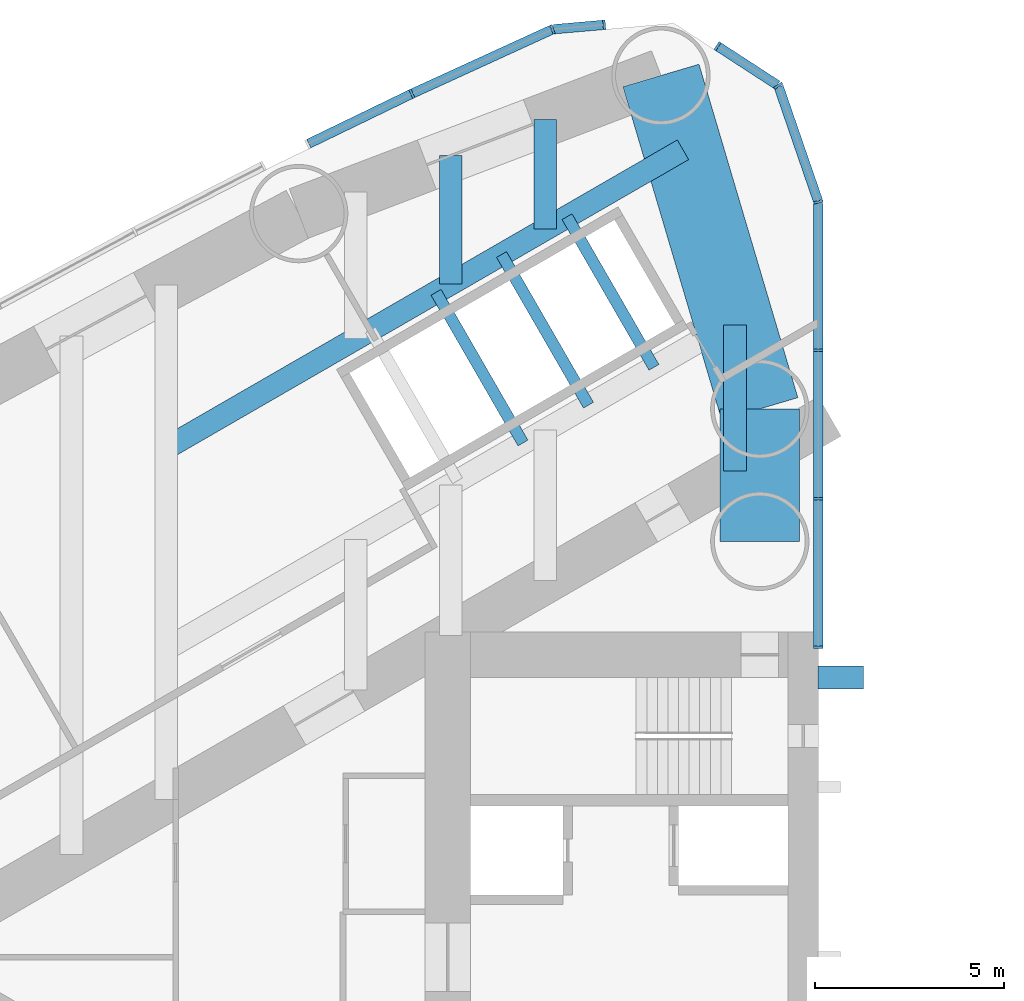
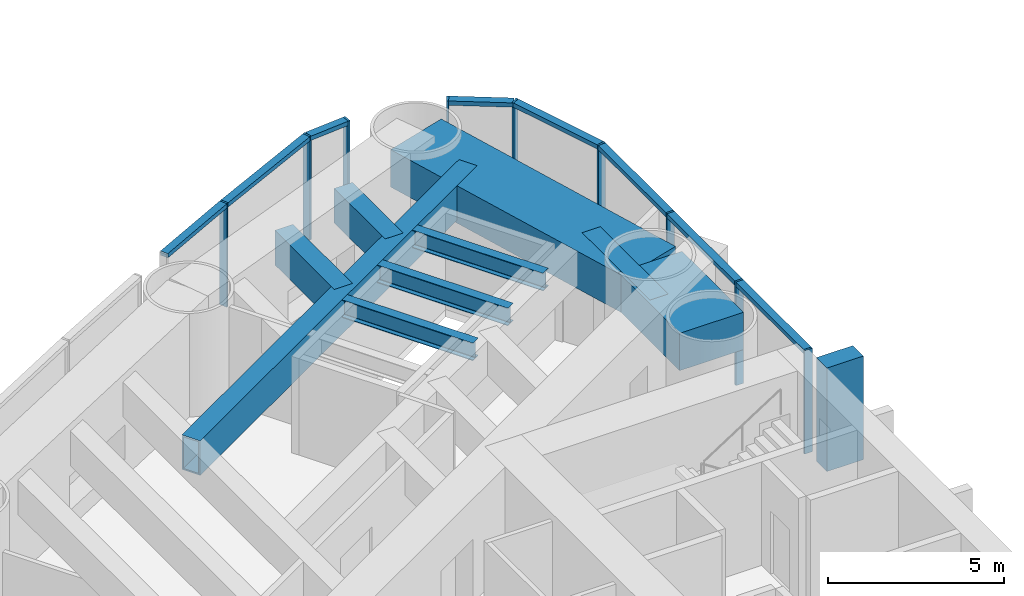
# One storey, part 5 of 16: 18 members, 9 beams, 2 elements without a shape of their own.
"""IFC4 building model written with IfcOpenShell, lengths in metres."""

from ifc_helpers import new_model, si_unit, direction, frame, origin, origin_2d, place, context, subcontext, project, spatial, rectangle, hollow_rectangle, i_section, extrude, material, material_profile, profile_set, type_object, element, aggregate, save


model = new_model("IFC4")

# Units and contexts
model_context = context("Model", 3, precision=1e-05, world=origin(), true_north=direction((0.0, 1.0)))
body_context = subcontext(model_context, "Body", "Model", "MODEL_VIEW")
ifc_project = project(units=[si_unit("LENGTHUNIT", "METRE"), si_unit("AREAUNIT", "SQUARE_METRE"), si_unit("VOLUMEUNIT", "CUBIC_METRE"), si_unit("PLANEANGLEUNIT", "RADIAN"), si_unit("MASSUNIT", "GRAM", prefix="KILO")], contexts=[model_context])

# Site, building, storey
site_placement = place(None, origin())
site = spatial("IfcSite", under=ifc_project, at=site_placement, CompositionType="ELEMENT")
building_placement = place(site_placement, origin())
building = spatial("IfcBuilding", under=site, at=building_placement, Name="Lancet Gate Hotel", CompositionType="ELEMENT")
storey_placement = place(building_placement, frame((0.0, 0.0, 143.10009765625)))
storey = spatial("IfcBuildingStorey", under=building, at=storey_placement, Name="L38", CompositionType="ELEMENT", Elevation=143.10009765625)

# Curtain wall, members
ifc_material_1 = material(Name="Aluminium curtain wall", Category="aluminium")
curtain_wall_type = type_object("IfcCurtainWallType", Name="Tower unitised curtain wall", PredefinedType="USERDEFINED", material=ifc_material_1)
curtain_wall_1_placement = place(storey_placement, origin())
curtain_wall_1 = element("IfcCurtainWall", 1, at=curtain_wall_1_placement, inside=storey, type_object=curtain_wall_type, Name="T1 L38 curtain wall 1", ObjectType="UNITISED CURTAIN WALL", PredefinedType="USERDEFINED")
ifc_material_2 = material(Name="Aluminium mullion", Category="aluminium")
ifc_material_profile_1 = material_profile(ifc_material_2, rectangle(XDim=0.06494140625, YDim=0.25, at=origin_2d()), Name="MULLION 65x250")
ifc_profile_set_1 = profile_set([ifc_material_profile_1], Name="Aluminium mullion")
member_type_1 = type_object("IfcMemberType", Name="Aluminium mullion 65x250", PredefinedType="MULLION", material=ifc_profile_set_1)
member_1_placement = place(storey_placement, frame((-27.5, 8.199951171875, 0.0), z_axis=(0.0, 0.0, 1.0), x_axis=(0.0, 1.0, 0.0)))
member_1 = element("IfcMember", 2, at=member_1_placement, type_object=member_type_1, Name="T1 L38 curtain wall 1 mullion 1", PredefinedType="MULLION", context=body_context, shape_type="SweptSolid", body=[
    extrude(rectangle(XDim=0.06494140625, YDim=0.25, at=origin_2d()), origin(), (0.0, 0.0, 1.0), 3.599853515625),
])
member_2_placement = place(storey_placement, frame((-27.5, 12.123779296875, 0.0), z_axis=(0.0, 0.0, 1.0), x_axis=(0.0, 1.0, 0.0)))
member_2 = element("IfcMember", 3, at=member_2_placement, type_object=member_type_1, Name="T1 L38 curtain wall 1 mullion 2", PredefinedType="MULLION", context=body_context, shape_type="SweptSolid", body=[
    extrude(rectangle(XDim=0.06494140625, YDim=0.25, at=origin_2d()), origin(), (0.0, 0.0, 1.0), 3.599853515625),
])
member_3_placement = place(storey_placement, frame((-27.5, 16.04736328125, 0.0), z_axis=(0.0, 0.0, 1.0), x_axis=(0.0, 1.0, 0.0)))
member_3 = element("IfcMember", 4, at=member_3_placement, type_object=member_type_1, Name="T1 L38 curtain wall 1 mullion 3", PredefinedType="MULLION", context=body_context, shape_type="SweptSolid", body=[
    extrude(rectangle(XDim=0.06494140625, YDim=0.25, at=origin_2d()), origin(), (0.0, 0.0, 1.0), 3.599853515625),
])
member_4_placement = place(storey_placement, frame((-27.5, 19.97119140625, 0.0), z_axis=(0.0, 0.0, 1.0), x_axis=(-0.149634446211, 0.988741388082, 0.0)))
member_4 = element("IfcMember", 5, at=member_4_placement, type_object=member_type_1, Name="T1 L38 curtain wall 1 mullion 4", PredefinedType="MULLION", context=body_context, shape_type="SweptSolid", body=[
    extrude(rectangle(XDim=0.06494140625, YDim=0.25, at=origin_2d()), origin(), (0.0, 0.0, 1.0), 3.599853515625),
])
member_5_placement = place(storey_placement, frame((-28.5595703125, 23.049072265625, 0.0), z_axis=(0.0, 0.0, 1.0), x_axis=(-0.54341030803, 0.839467234099, 0.0)))
member_5 = element("IfcMember", 6, at=member_5_placement, type_object=member_type_1, Name="T1 L38 curtain wall 1 mullion 5", PredefinedType="MULLION", context=body_context, shape_type="SweptSolid", body=[
    extrude(rectangle(XDim=0.06494140625, YDim=0.25, at=origin_2d()), origin(), (0.0, 0.0, 1.0), 3.599853515625),
])
member_6_placement = place(storey_placement, frame((-30.16943359375, 24.0947265625, 0.0), z_axis=(0.0, 0.0, 1.0), x_axis=(-0.838580121261, 0.544778285385, 0.0)))
member_6 = element("IfcMember", 7, at=member_6_placement, type_object=member_type_1, Name="T1 L38 curtain wall 1 mullion 6", PredefinedType="MULLION", context=body_context, shape_type="SweptSolid", body=[
    extrude(rectangle(XDim=0.06494140625, YDim=0.25, at=origin_2d()), origin(), (0.0, 0.0, 1.0), 3.599853515625),
])

curtain_wall_2_placement = place(storey_placement, origin())
curtain_wall_2 = element("IfcCurtainWall", 8, at=curtain_wall_2_placement, inside=storey, type_object=curtain_wall_type, Name="T1 L38 curtain wall 2", ObjectType="UNITISED CURTAIN WALL", PredefinedType="USERDEFINED")
member_7_placement = place(storey_placement, frame((-33.1650390625, 24.65869140625, 0.0), z_axis=(0.0, 0.0, 1.0), x_axis=(-0.996218779711, -0.086880049207, 0.0)))
member_7 = element("IfcMember", 9, at=member_7_placement, type_object=member_type_1, Name="T1 L38 curtain wall 2 mullion 1", PredefinedType="MULLION", context=body_context, shape_type="SweptSolid", body=[
    extrude(rectangle(XDim=0.06494140625, YDim=0.25, at=origin_2d()), origin(), (0.0, 0.0, 1.0), 3.599853515625),
])
member_8_placement = place(storey_placement, frame((-34.5322265625, 24.53955078125, 0.0), z_axis=(0.0, 0.0, 1.0), x_axis=(-0.941424024257, -0.337225157058, 0.0)))
member_8 = element("IfcMember", 10, at=member_8_placement, type_object=member_type_1, Name="T1 L38 curtain wall 2 mullion 2", PredefinedType="MULLION", context=body_context, shape_type="SweptSolid", body=[
    extrude(rectangle(XDim=0.06494140625, YDim=0.25, at=origin_2d()), origin(), (0.0, 0.0, 1.0), 3.599853515625),
])
member_9_placement = place(storey_placement, frame((-38.25244140625, 22.83642578125, 0.0), z_axis=(0.0, 0.0, 1.0), x_axis=(-0.905378883959, -0.42460461194, 0.0)))
member_9 = element("IfcMember", 11, at=member_9_placement, type_object=member_type_1, Name="T1 L38 curtain wall 2 mullion 3", PredefinedType="MULLION", context=body_context, shape_type="SweptSolid", body=[
    extrude(rectangle(XDim=0.06494140625, YDim=0.25, at=origin_2d()), origin(), (0.0, 0.0, 1.0), 3.599853515625),
])

# Member
ifc_material_3 = material(Name="Aluminium transom", Category="aluminium")
ifc_material_profile_2 = material_profile(ifc_material_3, rectangle(XDim=0.25, YDim=0.14990234375, at=origin_2d()), Name="TRANSOM 250x150")
ifc_profile_set_2 = profile_set([ifc_material_profile_2], Name="Aluminium transom")
member_type_2 = type_object("IfcMemberType", Name="Aluminium transom 250x150", PredefinedType="USERDEFINED", material=ifc_profile_set_2)
member_10_placement = place(storey_placement, frame((-27.5, 8.232421875, 3.52490234375), z_axis=(0.0, 1.0, 0.0), x_axis=(-1.0, 0.0, 0.0)))
member_10 = element("IfcMember", 12, at=member_10_placement, type_object=member_type_2, Name="T1 L38 curtain wall 1 transom 1", ObjectType="TRANSOM", PredefinedType="USERDEFINED", context=body_context, shape_type="SweptSolid", body=[
    extrude(rectangle(XDim=0.25, YDim=0.14990234375, at=origin_2d()), origin(), (0.0, 0.0, 1.0), 3.85888671875),
])

member_11_placement = place(storey_placement, frame((-27.5, 12.15625, 3.52490234375), z_axis=(0.0, 1.0, 0.0), x_axis=(-1.0, 0.0, 0.0)))
member_11 = element("IfcMember", 13, at=member_11_placement, type_object=member_type_2, Name="T1 L38 curtain wall 1 transom 2", ObjectType="TRANSOM", PredefinedType="USERDEFINED", context=body_context, shape_type="SweptSolid", body=[
    extrude(rectangle(XDim=0.25, YDim=0.14990234375, at=origin_2d()), origin(), (0.0, 0.0, 1.0), 3.858642578125),
])

member_12_placement = place(storey_placement, frame((-27.5, 16.079833984375, 3.52490234375), z_axis=(0.0, 1.0, 0.0), x_axis=(-1.0, 0.0, 0.0)))
member_12 = element("IfcMember", 14, at=member_12_placement, type_object=member_type_2, Name="T1 L38 curtain wall 1 transom 3", ObjectType="TRANSOM", PredefinedType="USERDEFINED", context=body_context, shape_type="SweptSolid", body=[
    extrude(rectangle(XDim=0.25, YDim=0.14990234375, at=origin_2d()), origin(), (0.0, 0.0, 1.0), 3.858642578125),
])

member_13_placement = place(storey_placement, frame((-27.510498046875, 20.001708984375, 3.52490234375), z_axis=(-0.32553312754, 0.945530635609, 0.0), x_axis=(-0.945530635609, -0.32553312754, 0.0)))
member_13 = element("IfcMember", 15, at=member_13_placement, type_object=member_type_2, Name="T1 L38 curtain wall 1 transom 4", ObjectType="TRANSOM", PredefinedType="USERDEFINED", context=body_context, shape_type="SweptSolid", body=[
    extrude(rectangle(XDim=0.25, YDim=0.14990234375, at=origin_2d()), origin(), (0.0, 0.0, 1.0), 3.1904296875),
])

member_14_placement = place(storey_placement, frame((-28.5869140625, 23.066650390625, 3.52490234375), z_axis=(-0.838593972451, 0.54475696358, 0.0), x_axis=(-0.54475696358, -0.838593972451, 0.0)))
member_14 = element("IfcMember", 16, at=member_14_placement, type_object=member_type_2, Name="T1 L38 curtain wall 1 transom 5", ObjectType="TRANSOM", PredefinedType="USERDEFINED", context=body_context, shape_type="SweptSolid", body=[
    extrude(rectangle(XDim=0.25, YDim=0.14990234375, at=origin_2d()), origin(), (0.0, 0.0, 1.0), 1.8544921875),
])

aggregate(curtain_wall_1, [member_1, member_2, member_3, member_4, member_5, member_6, member_10, member_11, member_12, member_13, member_14])

member_15_placement = place(storey_placement, frame((-33.197509765625, 24.656005859375, 3.52490234375), z_axis=(-0.996205466328, -0.087032573549, 0.0), x_axis=(0.087032573549, -0.996205466328, 0.0)))
member_15 = element("IfcMember", 17, at=member_15_placement, type_object=member_type_2, Name="T1 L38 curtain wall 2 transom 1", ObjectType="TRANSOM", PredefinedType="USERDEFINED", context=body_context, shape_type="SweptSolid", body=[
    extrude(rectangle(XDim=0.25, YDim=0.14990234375, at=origin_2d()), origin(), (0.0, 0.0, 1.0), 1.30712890625),
])

member_16_placement = place(storey_placement, frame((-34.561767578125, 24.52587890625, 3.52490234375), z_axis=(-0.909252284196, -0.416245460857, 0.0), x_axis=(0.416245460857, -0.909252284196, 0.0)))
member_16 = element("IfcMember", 18, at=member_16_placement, type_object=member_type_2, Name="T1 L38 curtain wall 2 transom 2", ObjectType="TRANSOM", PredefinedType="USERDEFINED", context=body_context, shape_type="SweptSolid", body=[
    extrude(rectangle(XDim=0.25, YDim=0.14990234375, at=origin_2d()), origin(), (0.0, 0.0, 1.0), 4.026611328125),
])

member_17_placement = place(storey_placement, frame((-38.28173828125, 22.822265625, 3.52490234375), z_axis=(-0.90008917215, -0.435705728879, 0.0), x_axis=(0.435705728879, -0.90008917215, 0.0)))
member_17 = element("IfcMember", 19, at=member_17_placement, type_object=member_type_2, Name="T1 L38 curtain wall 2 transom 3", ObjectType="TRANSOM", PredefinedType="USERDEFINED", context=body_context, shape_type="SweptSolid", body=[
    extrude(rectangle(XDim=0.25, YDim=0.14990234375, at=origin_2d()), origin(), (0.0, 0.0, 1.0), 2.99658203125),
])

aggregate(curtain_wall_2, [member_7, member_8, member_9, member_15, member_16, member_17])

ifc_material_4 = material(Name="Concrete C60/75", Category="concrete")
ifc_material_profile_3 = material_profile(ifc_material_4, rectangle(XDim=0.60009765625, YDim=1.199951171875, at=origin_2d()), Name="FIN 600x1200")
ifc_profile_set_3 = profile_set([ifc_material_profile_3], Name="Concrete C60/75")
member_type_3 = type_object("IfcMemberType", Name="Exposed concrete buttress pilaster 600x1200", PredefinedType="USERDEFINED", material=ifc_profile_set_3)
member_18_placement = place(storey_placement, frame((-26.909912109375, 7.39990234375, 0.0), z_axis=(0.0, 0.0, 1.0), x_axis=(0.0, 1.0, 0.0)))
element("IfcMember", 20, at=member_18_placement, inside=storey, type_object=member_type_3, Name="T1 buttress pilaster S L38", ObjectType="FIN", PredefinedType="USERDEFINED", context=body_context, shape_type="SweptSolid", body=[
    extrude(rectangle(XDim=0.60009765625, YDim=1.199951171875, at=origin_2d()), origin(), (0.0, 0.0, 1.0), 3.599853515625),
])

# Beams
ifc_material_5 = material(Name="Steel S355", Category="steel")
ifc_material_profile_4 = material_profile(ifc_material_5, i_section(OverallWidth=0.3046875, OverallDepth=0.6123046875, WebThickness=0.01171875, FlangeThickness=0.019775390625, FilletRadius=0.0166015625, at=origin_2d()), Name="UKB 610x305x149")
ifc_profile_set_4 = profile_set([ifc_material_profile_4], Name="Steel S355")
beam_type_1 = type_object("IfcBeamType", Name="Lift lifting beam UKB 610x305x149", PredefinedType="BEAM", material=ifc_profile_set_4)
beam_1_placement = place(storey_placement, frame((-31.84912109375, 15.599853515625, 3.043701171875), z_axis=(-0.499935336794, 0.866062733885, 0.0), x_axis=(-0.866062733885, -0.499935336794, 0.0)))
element("IfcBeam", 21, at=beam_1_placement, inside=storey, type_object=beam_type_1, Name="T1 lifting beam LR1", PredefinedType="BEAM", context=body_context, shape_type="SweptSolid", body=[
    extrude(i_section(OverallWidth=0.3046875, OverallDepth=0.6123046875, WebThickness=0.01171875, FlangeThickness=0.019775390625, FilletRadius=0.0166015625, at=origin_2d()), origin(), (0.0, 0.0, 1.0), 4.599609375),
])
beam_2_placement = place(storey_placement, frame((-33.581298828125, 14.599609375, 3.043701171875), z_axis=(-0.499872544099, 0.866098977979, 0.0), x_axis=(-0.866098977979, -0.499872544099, 0.0)))
element("IfcBeam", 22, at=beam_2_placement, inside=storey, type_object=beam_type_1, Name="T1 lifting beam LR2", PredefinedType="BEAM", context=body_context, shape_type="SweptSolid", body=[
    extrude(i_section(OverallWidth=0.3046875, OverallDepth=0.6123046875, WebThickness=0.01171875, FlangeThickness=0.019775390625, FilletRadius=0.0166015625, at=origin_2d()), origin(), (0.0, 0.0, 1.0), 4.599853515625),
])
beam_3_placement = place(storey_placement, frame((-35.313232421875, 13.599609375, 3.043701171875), z_axis=(-0.499935336794, 0.866062733885, 0.0), x_axis=(-0.866062733885, -0.499935336794, 0.0)))
element("IfcBeam", 23, at=beam_3_placement, inside=storey, type_object=beam_type_1, Name="T1 lifting beam LR3", PredefinedType="BEAM", context=body_context, shape_type="SweptSolid", body=[
    extrude(i_section(OverallWidth=0.3046875, OverallDepth=0.6123046875, WebThickness=0.01171875, FlangeThickness=0.019775390625, FilletRadius=0.0166015625, at=origin_2d()), origin(), (0.0, 0.0, 1.0), 4.599609375),
])
ifc_material_6 = material(Name="Steel S460QL", Category="steel")
ifc_material_profile_5 = material_profile(ifc_material_6, hollow_rectangle(XDim=0.60009765625, YDim=1.199951171875, WallThickness=0.050048828125, at=origin_2d()), Name="BOX 1200x600x50")
ifc_profile_set_5 = profile_set([ifc_material_profile_5], Name="Steel S460QL")
beam_type_2 = type_object("IfcBeamType", Name="Refuge floor beam BOX 1200x600x50", PredefinedType="BEAM", material=ifc_profile_set_5)
beam_4_placement = place(storey_placement, frame((-29.706787109375, 16.71533203125, 2.75), z_axis=(0.0, -1.0, 0.0), x_axis=(1.0, 0.0, 0.0)))
element("IfcBeam", 24, at=beam_4_placement, inside=storey, type_object=beam_type_2, Name="T1 floor beam F02S L38", PredefinedType="BEAM", context=body_context, shape_type="SweptSolid", body=[
    extrude(hollow_rectangle(XDim=0.60009765625, YDim=1.199951171875, WallThickness=0.050048828125, at=origin_2d()), origin(), (0.0, 0.0, 1.0), 3.86279296875),
])
beam_5_placement = place(storey_placement, frame((-34.720458984375, 22.1533203125, 2.75), z_axis=(0.0, -1.0, 0.0), x_axis=(1.0, 0.0, 0.0)))
element("IfcBeam", 25, at=beam_5_placement, inside=storey, type_object=beam_type_2, Name="T1 floor beam F04SA L38", PredefinedType="BEAM", context=body_context, shape_type="SweptSolid", body=[
    extrude(hollow_rectangle(XDim=0.60009765625, YDim=1.199951171875, WallThickness=0.050048828125, at=origin_2d()), origin(), (0.0, 0.0, 1.0), 2.89990234375),
])
beam_6_placement = place(storey_placement, frame((-37.227294921875, 21.197509765625, 2.75), z_axis=(0.0, -1.0, 0.0), x_axis=(1.0, 0.0, 0.0)))
element("IfcBeam", 26, at=beam_6_placement, inside=storey, type_object=beam_type_2, Name="T1 floor beam F05SA L38", PredefinedType="BEAM", context=body_context, shape_type="SweptSolid", body=[
    extrude(hollow_rectangle(XDim=0.60009765625, YDim=1.199951171875, WallThickness=0.050048828125, at=origin_2d()), origin(), (0.0, 0.0, 1.0), 3.3916015625),
])
ifc_material_7 = material(Name="Concrete C50/60", Category="concrete")
ifc_material_profile_6 = material_profile(ifc_material_7, rectangle(XDim=2.10009765625, YDim=1.300048828125, at=origin_2d()), Name="RC 2100x1300")
ifc_profile_set_6 = profile_set([ifc_material_profile_6], Name="Concrete C50/60")
beam_type_3 = type_object("IfcBeamType", Name="Tie ring beam RC 2100x1300", PredefinedType="SPANDREL", material=ifc_profile_set_6)
beam_7_placement = place(storey_placement, frame((-31.66455078125, 23.318359375, 2.699951171875), z_axis=(0.284253711522, -0.958749095168, 0.0), x_axis=(0.958749095168, 0.284253711522, 0.0)))
element("IfcBeam", 27, at=beam_7_placement, inside=storey, type_object=beam_type_3, Name="T1 tie ring beam RG2 L38", PredefinedType="SPANDREL", context=body_context, shape_type="SweptSolid", body=[
    extrude(rectangle(XDim=2.10009765625, YDim=1.300048828125, at=origin_2d()), origin(), (0.0, 0.0, 1.0), 9.19775390625),
])
beam_8_placement = place(storey_placement, frame((-29.050048828125, 14.5, 2.699951171875), z_axis=(0.0, -1.0, 0.0), x_axis=(1.0, 0.0, 0.0)))
element("IfcBeam", 28, at=beam_8_placement, inside=storey, type_object=beam_type_3, Name="T1 tie ring beam RG2 L38", PredefinedType="SPANDREL", context=body_context, shape_type="SweptSolid", body=[
    extrude(rectangle(XDim=2.10009765625, YDim=1.300048828125, at=origin_2d()), origin(), (0.0, 0.0, 1.0), 3.5),
])
ifc_material_8 = material(Name="Steel S460QL", Category="steel")
ifc_material_profile_7 = material_profile(ifc_material_8, hollow_rectangle(XDim=0.60009765625, YDim=1.199951171875, WallThickness=0.050048828125, at=origin_2d()), Name="BOX 1200x600x50")
ifc_profile_set_7 = profile_set([ifc_material_profile_7], Name="Steel S460QL")
beam_type_4 = type_object("IfcBeamType", Name="Trimmer beam BOX 1200x600x50", PredefinedType="BEAM", material=ifc_profile_set_7)
beam_9_placement = place(storey_placement, frame((-31.082275390625, 21.354248046875, 2.75), z_axis=(-0.865995951893, -0.500051008703, 0.0), x_axis=(0.500051008703, -0.865995951893, 0.0)))
element("IfcBeam", 29, at=beam_9_placement, inside=storey, type_object=beam_type_4, Name="T1 trimmer beam TR04S L38", PredefinedType="BEAM", context=body_context, shape_type="SweptSolid", body=[
    extrude(hollow_rectangle(XDim=0.60009765625, YDim=1.199951171875, WallThickness=0.050048828125, at=origin_2d()), origin(), (0.0, 0.0, 1.0), 15.780029296875),
])

save(model, "model.ifc")
